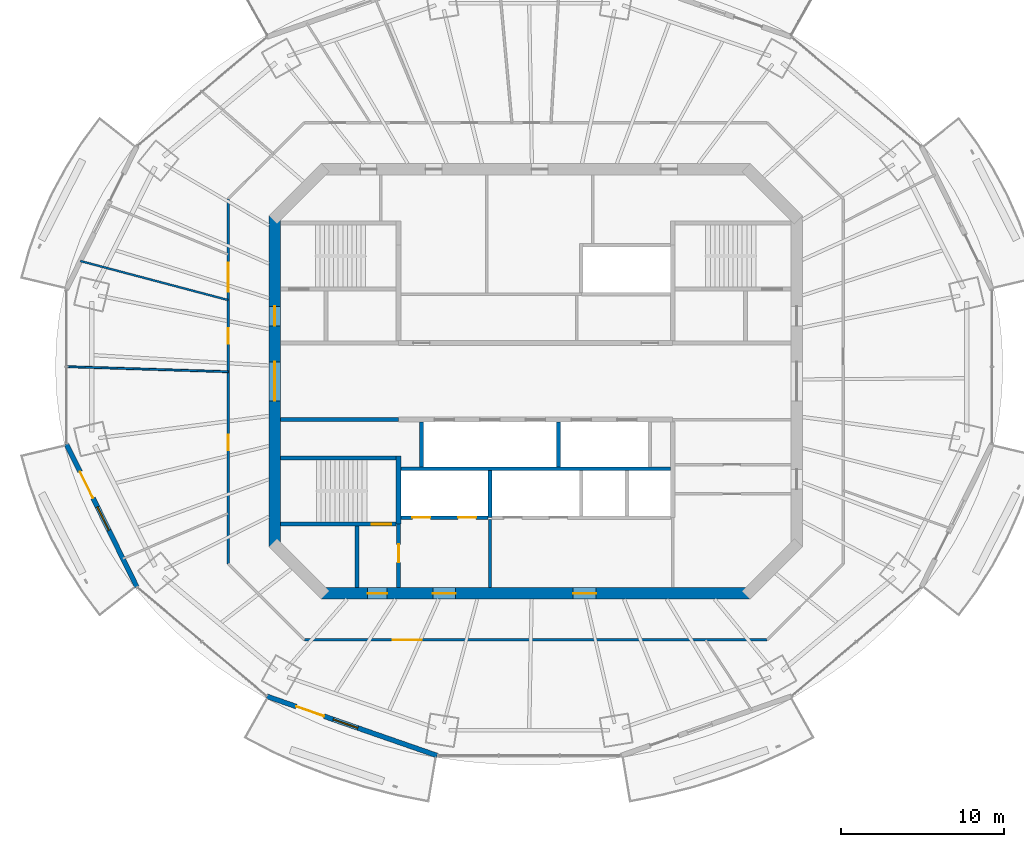
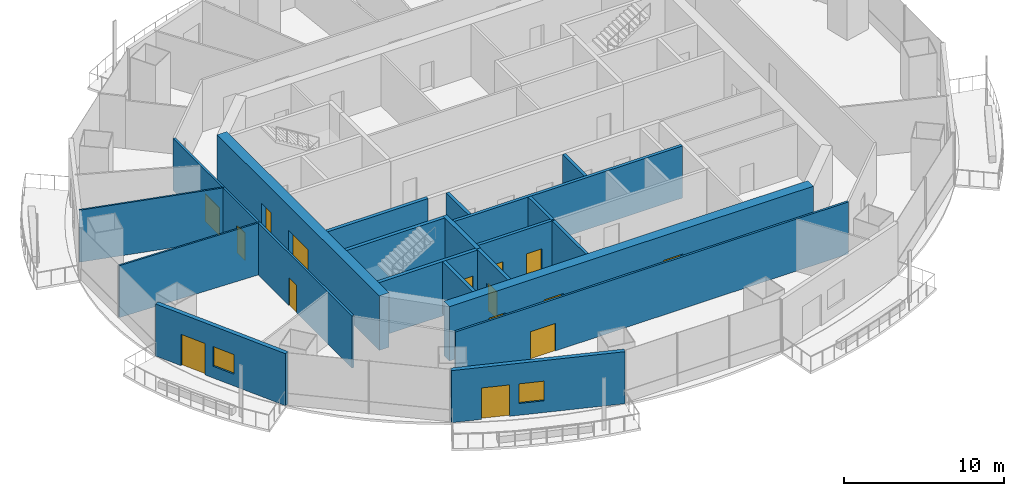
# One storey, part 8 of 16: 20 walls, 15 doors, 2 windows, 17 openings.
"""IFC4 building model written with IfcOpenShell, lengths in metres."""

import ifcopenshell
import ifcopenshell.guid

model = None  # the IFC model being written
_history = None  # IfcOwnerHistory: only IFC2X3 demands one
_inside = {}  # id of a spatial element -> (the spatial element, [elements in it])
_under = {}  # id of a project, library or spatial element -> (it, [spatial elements below it])
_declared = {}  # id of a project -> (the project, [libraries it declares])
_typed = {}  # id of a type object -> (the type object, [elements of that type])
_made_of = {}  # id of a material, layer set ... -> (it, [elements and type objects made of it])


def new_model(schema):
    """Start an empty IFC model of exactly this schema.

    Asked for "IFC4X3", IfcOpenShell would pick the latest addendum, in which some entities
    have other attributes; the version numbers below select the first issue.
    IFC2X3 requires an IfcOwnerHistory on every rooted entity: one is made here for all.
    """
    global model, _history
    if schema == "IFC4X3":
        model = ifcopenshell.file(schema_version=(4, 3, 0, 0))
    else:
        model = ifcopenshell.file(schema=schema)
    _inside.clear()
    _under.clear()
    _declared.clear()
    _typed.clear()
    _made_of.clear()
    _history = None
    if model.schema == "IFC2X3":
        org = make("IfcOrganization", Name="unknown")
        user = make(
            "IfcPersonAndOrganization",
            ThePerson=make("IfcPerson", FamilyName="unknown"),
            TheOrganization=org,
        )
        app = make(
            "IfcApplication",
            ApplicationDeveloper=org,
            Version="unknown",
            ApplicationFullName="unknown",
            ApplicationIdentifier="unknown",
        )
        _history = make(
            "IfcOwnerHistory",
            OwningUser=user,
            OwningApplication=app,
            ChangeAction="ADDED",
            CreationDate=0,
        )
    return model


def make(cls, **values):
    """One entity of the class cls with the attributes given. An attribute that is None is left unset."""
    return model.create_entity(
        cls, **{name: value for name, value in values.items() if value is not None}
    )


def rooted(cls, **values):
    """An entity with a GlobalId (a new one), such as an element, a storey or a relation."""
    return make(cls, GlobalId=ifcopenshell.guid.new(), OwnerHistory=_history, **values)


def si_unit(unit_type, name, prefix=None):
    """IfcSIUnit, for example si_unit("LENGTHUNIT", "METRE", prefix="MILLI")."""
    return make("IfcSIUnit", UnitType=unit_type, Prefix=prefix, Name=name)


def assignment(units):
    """IfcUnitAssignment: the units of a project."""
    return None if units is None else make("IfcUnitAssignment", Units=units)


def point(xyz):
    """IfcCartesianPoint."""
    return None if xyz is None else make("IfcCartesianPoint", Coordinates=xyz)


def direction(xyz):
    """IfcDirection."""
    return None if xyz is None else make("IfcDirection", DirectionRatios=xyz)


def frame(location, z_axis=None, x_axis=None):
    """IfcAxis2Placement3D, a coordinate frame: its origin and axes. An axis left out is left unset."""
    return make(
        "IfcAxis2Placement3D",
        Location=point(location),
        Axis=direction(z_axis),
        RefDirection=direction(x_axis),
    )


def frame_2d(location, x_axis=None):
    """IfcAxis2Placement2D, a coordinate frame in the plane: its origin and x axis."""
    return make(
        "IfcAxis2Placement2D", Location=point(location), RefDirection=direction(x_axis)
    )


def origin():
    """The frame at (0, 0, 0) with its axes left unset."""
    return frame((0.0, 0.0, 0.0))


def place(relative_to, where):
    """IfcLocalPlacement: puts the frame where relative to a parent placement (None: the world)."""
    return make(
        "IfcLocalPlacement", PlacementRelTo=relative_to, RelativePlacement=where
    )


def context(
    kind, dimensions, precision=None, world=None, true_north=None, identifier=None
):
    """IfcGeometricRepresentationContext, for example the 3D "Model" context."""
    return make(
        "IfcGeometricRepresentationContext",
        ContextIdentifier=identifier,
        ContextType=kind,
        CoordinateSpaceDimension=dimensions,
        Precision=precision,
        WorldCoordinateSystem=world,
        TrueNorth=true_north,
    )


def subcontext(parent, identifier, kind, view, scale=None):
    """IfcGeometricRepresentationSubContext, for example "Body" below "Model"."""
    return make(
        "IfcGeometricRepresentationSubContext",
        ContextIdentifier=identifier,
        ContextType=kind,
        ParentContext=parent,
        TargetScale=scale,
        TargetView=view,
    )


def project(units=None, contexts=None):
    """IfcProject with its units and contexts."""
    return rooted(
        "IfcProject",
        Name="project",
        RepresentationContexts=contexts,
        UnitsInContext=assignment(units),
    )


def spatial(cls, under=None, at=None, **own):
    """A site, building, storey or space (cls), placed at a placement, below another one or the project."""
    s = rooted(cls, ObjectPlacement=at, **own)
    if under is not None:
        _under.setdefault(under.id(), (under, []))[1].append(s)
    return s


def profile(cls, at=None, kind="AREA", **sizes):
    """A parametric profile (cls). Its sizes go by their IFC names, for example OverallWidth=200.0."""
    return make(cls, ProfileType=kind, Position=at, **sizes)


def rectangle(**sizes):
    """IfcRectangleProfileDef."""
    return profile("IfcRectangleProfileDef", **sizes)


def extrude(swept, where, along, depth):
    """IfcExtrudedAreaSolid: the profile swept, set in the frame where, extruded along a direction by depth."""
    return make(
        "IfcExtrudedAreaSolid",
        SweptArea=swept,
        Position=where,
        ExtrudedDirection=direction(along),
        Depth=depth,
    )


def shape(context_of_items, identifier, shape_type, items):
    """IfcShapeRepresentation: the items that make up one representation, for example the "Body"."""
    return make(
        "IfcShapeRepresentation",
        ContextOfItems=context_of_items,
        RepresentationIdentifier=identifier,
        RepresentationType=shape_type,
        Items=items,
    )


def material(Name=None, Category=None):
    """IfcMaterial."""
    return make("IfcMaterial", Name=Name, Category=Category)


def layer(
    of_material, thickness, ventilated=None, Name=None, Category=None, Priority=None
):
    """IfcMaterialLayer: one layer of a wall or slab, of a material (None: an air gap)."""
    return make(
        "IfcMaterialLayer",
        Material=of_material,
        LayerThickness=thickness,
        IsVentilated=ventilated,
        Name=Name,
        Category=Category,
        Priority=Priority,
    )


def layer_set(layers, Name=None):
    """IfcMaterialLayerSet."""
    return make("IfcMaterialLayerSet", MaterialLayers=layers, LayerSetName=Name)


def made_of(thing, what):
    """Note that an element or type object is made of a material, layer set ...; save() writes the relation."""
    if what is not None:
        _made_of.setdefault(what.id(), (what, []))[1].append(thing)
    return thing


def type_object(cls, material=None, **own):
    """A type object (cls), such as IfcWallType, which elements share."""
    return made_of(rooted(cls, **own), material)


def element(
    cls,
    number,
    at=None,
    inside=None,
    cuts=None,
    type_object=None,
    material=None,
    context=None,
    identifier="Body",
    shape_type=None,
    held_by="IfcProductDefinitionShape",
    body=None,
    shapes=None,
    **own,
):
    """One element of the class cls, such as IfcWall. Its Tag is "e" and its number.

    at: its placement. inside: the storey or other place that contains it. cuts: it is an
    opening in that element (IfcRelVoidsElement). A single representation is given by context,
    identifier, shape_type and body (its items); several are given by shapes. held_by: the class
    of the entity that holds the representations. save() writes the other relations.
    """
    e = rooted(cls, Tag="e%d" % number, ObjectPlacement=at, **own)
    if body is not None:
        shapes = [shape(context, identifier, shape_type, body)]
    if shapes is not None:
        e.Representation = make(held_by, Representations=shapes)
    if inside is not None:
        _inside.setdefault(inside.id(), (inside, []))[1].append(e)
    if cuts is not None:
        rooted(
            "IfcRelVoidsElement", RelatingBuildingElement=cuts, RelatedOpeningElement=e
        )
    if type_object is not None:
        _typed.setdefault(type_object.id(), (type_object, []))[1].append(e)
    return made_of(e, material)


def fill(opening, filler):
    """IfcRelFillsElement: the door or window that sits in an opening."""
    return rooted(
        "IfcRelFillsElement",
        RelatingOpeningElement=opening,
        RelatedBuildingElement=filler,
    )


def aggregate(whole, parts):
    """IfcRelAggregates: a whole, such as a stair, and the parts it consists of."""
    return rooted("IfcRelAggregates", RelatingObject=whole, RelatedObjects=parts)


def save(model, path):
    """Write the relations noted so far, then the file.

    IfcRelAggregates (storeys below a building ...), IfcRelContainedInSpatialStructure (elements
    in a storey), IfcRelDefinesByType, IfcRelAssociatesMaterial and IfcRelDeclares: one each for
    every whole, place, type object, material and project.
    """
    for whole, parts in _under.values():
        aggregate(whole, parts)
    for where, things in _inside.values():
        rooted(
            "IfcRelContainedInSpatialStructure",
            RelatedElements=things,
            RelatingStructure=where,
        )
    for kind, things in _typed.values():
        rooted("IfcRelDefinesByType", RelatedObjects=things, RelatingType=kind)
    for what, things in _made_of.values():
        rooted("IfcRelAssociatesMaterial", RelatedObjects=things, RelatingMaterial=what)
    for by, libraries in _declared.values():
        rooted("IfcRelDeclares", RelatingContext=by, RelatedDefinitions=libraries)
    model.write(path)


model = new_model("IFC4")

# Units and contexts
model_context = context("Model", 3, precision=1e-05, world=origin(), true_north=direction((0.0, 1.0)))
body_context = subcontext(model_context, "Body", "Model", "MODEL_VIEW")
ifc_project = project(units=[si_unit("LENGTHUNIT", "METRE"), si_unit("AREAUNIT", "SQUARE_METRE"), si_unit("VOLUMEUNIT", "CUBIC_METRE"), si_unit("PLANEANGLEUNIT", "RADIAN"), si_unit("MASSUNIT", "GRAM", prefix="KILO")], contexts=[model_context])

# Site, building, storey
site_placement = place(None, origin())
site = spatial("IfcSite", under=ifc_project, at=site_placement, CompositionType="ELEMENT")
building_placement = place(site_placement, origin())
building = spatial("IfcBuilding", under=site, at=building_placement, Name="Marenthal Gate Tower", CompositionType="ELEMENT")
storey_placement = place(building_placement, frame((0.0, 0.0, 288.64990234375)))
storey = spatial("IfcBuildingStorey", under=building, at=storey_placement, Name="L64", CompositionType="ELEMENT", Elevation=288.64990234375)

# Wall, openings, doors
ifc_material_1 = material(Name="Concrete 60 MPa", Category="concrete")
ifc_layer_1 = layer(ifc_material_1, 0.699951171875)
ifc_layer_set_1 = layer_set([ifc_layer_1], Name="Core shear wall 700")
wall_type_1 = type_object("IfcWallType", Name="Core shear wall 700", PredefinedType="SHEAR", material=ifc_layer_set_1)
wall_1_placement = place(storey_placement, frame((-16.0, 10.14501953125, -0.179931640625), z_axis=(0.0, 0.0, 1.0), x_axis=(0.0, -1.0, 0.0)))
wall_1 = element("IfcWall", 1, at=wall_1_placement, inside=storey, type_object=wall_type_1, Name="Core wall 06", PredefinedType="SHEAR", context=body_context, shape_type="SweptSolid", body=[
    extrude(rectangle(XDim=20.2900390625, YDim=0.699951171875, at=frame_2d((10.14501953125, 0.0))), origin(), (0.0, 0.0, 1.0), 4.150146484375),
])
opening_1_placement = place(wall_1_placement, frame((8.945068359375, 0.0, 0.179931640625)))
opening_1 = element("IfcOpeningElement", 2, at=opening_1_placement, cuts=wall_1, Name="Opening D003.01", PredefinedType="OPENING", context=body_context, shape_type="SweptSolid", body=[
    extrude(rectangle(XDim=2.39990234375, YDim=2.10009765625, at=frame_2d((1.199951171875, 1.050048828125))), frame((0.0, 0.35986328125, 0.0), z_axis=(0.0, -1.0, 0.0), x_axis=(1.0, 0.0, 0.0)), (0.0, 0.0, 1.0), 0.719970703125),
])
opening_2_placement = place(wall_1_placement, frame((5.544921875, 0.0, 0.179931640625)))
opening_2 = element("IfcOpeningElement", 3, at=opening_2_placement, cuts=wall_1, Name="Opening D001.04", PredefinedType="OPENING", context=body_context, shape_type="SweptSolid", body=[
    extrude(rectangle(XDim=1.199951171875, YDim=2.10009765625, at=frame_2d((0.60009765625, 1.050048828125))), frame((0.0, 0.35986328125, 0.0), z_axis=(0.0, -1.0, 0.0), x_axis=(1.0, 0.0, 0.0)), (0.0, 0.0, 1.0), 0.719970703125),
])
ifc_material_2 = material(Name="Steel fire door", Category="steel")
door_type_1 = type_object("IfcDoorType", Name="Double fire door FD 45 2400 x 2100", OperationType="DOUBLE_DOOR_SINGLE_SWING", PredefinedType="DOOR", material=ifc_material_2)
door_1_placement = place(opening_1_placement, origin())
door_1 = element("IfcDoor", 4, at=door_1_placement, inside=storey, type_object=door_type_1, Name="Door D003.01", OperationType="DOUBLE_DOOR_SINGLE_SWING", OverallHeight=2.10009765625, OverallWidth=2.39990234375, PredefinedType="DOOR", context=body_context, shape_type="SweptSolid", body=[
    extrude(rectangle(XDim=2.39990234375, YDim=2.10009765625, at=frame_2d((1.199951171875, 1.050048828125))), frame((0.0, 0.02490234375, 0.0), z_axis=(0.0, -1.0, 0.0), x_axis=(1.0, 0.0, 0.0)), (0.0, 0.0, 1.0), 0.050048828125),
])
fill(opening_1, door_1)
ifc_material_3 = material(Name="Steel fire door", Category="steel")
door_type_2 = type_object("IfcDoorType", Name="Fire door FD 90 1200 x 2100", OperationType="NOTDEFINED", PredefinedType="DOOR", material=ifc_material_3)
door_2_placement = place(opening_2_placement, origin())
door_2 = element("IfcDoor", 5, at=door_2_placement, inside=storey, type_object=door_type_2, Name="Door D001.04", OperationType="SINGLE_SWING_RIGHT", OverallHeight=2.10009765625, OverallWidth=1.199951171875, PredefinedType="DOOR", context=body_context, shape_type="SweptSolid", body=[
    extrude(rectangle(XDim=1.199951171875, YDim=2.10009765625, at=frame_2d((0.60009765625, 1.050048828125))), frame((0.0, 0.02490234375, 0.0), z_axis=(0.0, -1.0, 0.0), x_axis=(1.0, 0.0, 0.0)), (0.0, 0.0, 1.0), 0.050048828125),
])
fill(opening_2, door_2)

wall_2_placement = place(storey_placement, frame((-13.14501953125, -13.0, -0.179931640625), z_axis=(0.0, 0.0, 1.0), x_axis=(1.0, 0.0, 0.0)))
wall_2 = element("IfcWall", 6, at=wall_2_placement, inside=storey, type_object=wall_type_1, Name="Core wall 08", PredefinedType="SHEAR", context=body_context, shape_type="SweptSolid", body=[
    extrude(rectangle(XDim=26.2900390625, YDim=0.699951171875, at=frame_2d((13.14501953125, 0.0))), origin(), (0.0, 0.0, 1.0), 4.150146484375),
])
opening_3_placement = place(wall_2_placement, frame((2.844970703125, 0.0, 0.179931640625)))
opening_3 = element("IfcOpeningElement", 7, at=opening_3_placement, cuts=wall_2, Name="Opening D001.06", PredefinedType="OPENING", context=body_context, shape_type="SweptSolid", body=[
    extrude(rectangle(XDim=1.199951171875, YDim=2.10009765625, at=frame_2d((0.60009765625, 1.050048828125))), frame((0.0, 0.35986328125, 0.0), z_axis=(0.0, -1.0, 0.0), x_axis=(1.0, 0.0, 0.0)), (0.0, 0.0, 1.0), 0.719970703125),
])
opening_4_placement = place(wall_2_placement, frame((6.844970703125, 0.0, 0.179931640625)))
opening_4 = element("IfcOpeningElement", 8, at=opening_4_placement, cuts=wall_2, Name="Opening D004.01", PredefinedType="OPENING", context=body_context, shape_type="SweptSolid", body=[
    extrude(rectangle(XDim=1.39990234375, YDim=2.10009765625, at=frame_2d((0.699951171875, 1.050048828125))), frame((0.0, 0.35986328125, 0.0), z_axis=(0.0, -1.0, 0.0), x_axis=(1.0, 0.0, 0.0)), (0.0, 0.0, 1.0), 0.719970703125),
])
opening_5_placement = place(wall_2_placement, frame((15.445068359375, 0.0, 0.179931640625)))
opening_5 = element("IfcOpeningElement", 9, at=opening_5_placement, cuts=wall_2, Name="Opening D004.02", PredefinedType="OPENING", context=body_context, shape_type="SweptSolid", body=[
    extrude(rectangle(XDim=1.39990234375, YDim=2.10009765625, at=frame_2d((0.699951171875, 1.050048828125))), frame((0.0, 0.35986328125, 0.0), z_axis=(0.0, -1.0, 0.0), x_axis=(1.0, 0.0, 0.0)), (0.0, 0.0, 1.0), 0.719970703125),
])
ifc_material_4 = material(Name="Steel fire door", Category="steel")
door_type_3 = type_object("IfcDoorType", Name="Fire door FD 45 1400 x 2100", OperationType="NOTDEFINED", PredefinedType="DOOR", material=ifc_material_4)
door_3_placement = place(opening_4_placement, origin())
door_3 = element("IfcDoor", 10, at=door_3_placement, inside=storey, type_object=door_type_3, Name="Door D004.01", OperationType="SINGLE_SWING_RIGHT", OverallHeight=2.10009765625, OverallWidth=1.39990234375, PredefinedType="DOOR", context=body_context, shape_type="SweptSolid", body=[
    extrude(rectangle(XDim=1.39990234375, YDim=2.10009765625, at=frame_2d((0.699951171875, 1.050048828125))), frame((0.0, 0.02490234375, 0.0), z_axis=(0.0, -1.0, 0.0), x_axis=(1.0, 0.0, 0.0)), (0.0, 0.0, 1.0), 0.050048828125),
])
fill(opening_4, door_3)
door_4_placement = place(opening_5_placement, origin())
door_4 = element("IfcDoor", 11, at=door_4_placement, inside=storey, type_object=door_type_3, Name="Door D004.02", OperationType="SINGLE_SWING_RIGHT", OverallHeight=2.10009765625, OverallWidth=1.39990234375, PredefinedType="DOOR", context=body_context, shape_type="SweptSolid", body=[
    extrude(rectangle(XDim=1.39990234375, YDim=2.10009765625, at=frame_2d((0.699951171875, 1.050048828125))), frame((0.0, 0.02490234375, 0.0), z_axis=(0.0, -1.0, 0.0), x_axis=(1.0, 0.0, 0.0)), (0.0, 0.0, 1.0), 0.050048828125),
])
fill(opening_5, door_4)
door_5_placement = place(opening_3_placement, origin())
door_5 = element("IfcDoor", 12, at=door_5_placement, inside=storey, type_object=door_type_2, Name="Door D001.06", OperationType="SINGLE_SWING_RIGHT", OverallHeight=2.10009765625, OverallWidth=1.199951171875, PredefinedType="DOOR", context=body_context, shape_type="SweptSolid", body=[
    extrude(rectangle(XDim=1.199951171875, YDim=2.10009765625, at=frame_2d((0.60009765625, 1.050048828125))), frame((0.0, 0.02490234375, 0.0), z_axis=(0.0, -1.0, 0.0), x_axis=(1.0, 0.0, 0.0)), (0.0, 0.0, 1.0), 0.050048828125),
])
fill(opening_3, door_5)

# Walls
ifc_material_5 = material(Name="Gypsum board on steel studs", Category="steel")
ifc_layer_2 = layer(ifc_material_5, 0.199951171875)
ifc_layer_set_2 = layer_set([ifc_layer_2], Name="Fire lobby wall 200")
wall_type_2 = type_object("IfcWallType", Name="Fire lobby wall 200", PredefinedType="PARTITIONING", material=ifc_layer_set_2)
wall_3_placement = place(storey_placement, frame((-2.800048828125, -12.64990234375, 0.0), z_axis=(0.0, 0.0, 1.0), x_axis=(0.0, 1.0, 0.0)))
element("IfcWall", 13, at=wall_3_placement, inside=storey, type_object=wall_type_2, Name="Fire wall 38", PredefinedType="PARTITIONING", context=body_context, shape_type="SweptSolid", body=[
    extrude(rectangle(XDim=4.18994140625, YDim=0.199951171875, at=frame_2d((2.094970703125, 0.0))), origin(), (0.0, 0.0, 1.0), 3.97021484375),
])
ifc_material_6 = material(Name="Concrete 50 MPa", Category="concrete")
ifc_layer_3 = layer(ifc_material_6, 0.300048828125)
ifc_layer_set_3 = layer_set([ifc_layer_3], Name="Hoistway shear wall 300")
wall_type_3 = type_object("IfcWallType", Name="Hoistway shear wall 300", PredefinedType="SHEAR", material=ifc_layer_set_3)
wall_4_placement = place(storey_placement, frame((-8.39990234375, -8.75, -0.179931640625), z_axis=(0.0, 0.0, 1.0), x_axis=(0.0, 1.0, 0.0)))
element("IfcWall", 14, at=wall_4_placement, inside=storey, type_object=wall_type_3, Name="Hoistway wall 33", PredefinedType="SHEAR", context=body_context, shape_type="SweptSolid", body=[
    extrude(rectangle(XDim=4.175048828125, YDim=0.300048828125, at=frame_2d((2.08740234375, 0.0))), origin(), (0.0, 0.0, 1.0), 4.150146484375),
])

# Wall, openings, doors
ifc_material_7 = material(Name="Concrete 40 MPa", Category="concrete")
ifc_layer_4 = layer(ifc_material_7, 0.219970703125)
ifc_layer_set_4 = layer_set([ifc_layer_4], Name="Hoistway wall 220")
wall_type_4 = type_object("IfcWallType", Name="Hoistway wall 220", PredefinedType="STANDARD", material=ifc_layer_set_4)
wall_5_placement = place(storey_placement, frame((-8.25, -8.35009765625, 0.0), z_axis=(0.0, 0.0, 1.0), x_axis=(1.0, 0.0, 0.0)))
wall_5 = element("IfcWall", 15, at=wall_5_placement, inside=storey, type_object=wall_type_4, Name="Hoistway wall 10", PredefinedType="STANDARD", context=body_context, shape_type="SweptSolid", body=[
    extrude(rectangle(XDim=5.340087890625, YDim=0.219970703125, at=frame_2d((2.669921875, 0.0))), origin(), (0.0, 0.0, 1.0), 3.97021484375),
])
opening_6_placement = place(wall_5_placement, frame((0.699951171875, 0.0, 0.0)))
opening_6 = element("IfcOpeningElement", 16, at=opening_6_placement, cuts=wall_5, Name="Opening LD-LF1", PredefinedType="OPENING", context=body_context, shape_type="SweptSolid", body=[
    extrude(rectangle(XDim=1.10009765625, YDim=2.10009765625, at=frame_2d((0.550048828125, 1.050048828125))), frame((0.0, 0.1201171875, 0.0), z_axis=(0.0, -1.0, 0.0), x_axis=(1.0, 0.0, 0.0)), (0.0, 0.0, 1.0), 0.239990234375),
])
opening_7_placement = place(wall_5_placement, frame((3.5, 0.0, 0.0)))
opening_7 = element("IfcOpeningElement", 17, at=opening_7_placement, cuts=wall_5, Name="Opening LD-LF2", PredefinedType="OPENING", context=body_context, shape_type="SweptSolid", body=[
    extrude(rectangle(XDim=1.10009765625, YDim=2.10009765625, at=frame_2d((0.550048828125, 1.050048828125))), frame((0.0, 0.1201171875, 0.0), z_axis=(0.0, -1.0, 0.0), x_axis=(1.0, 0.0, 0.0)), (0.0, 0.0, 1.0), 0.239990234375),
])
ifc_material_8 = material(Name="Stainless steel sliding door", Category="steel")
door_type_4 = type_object("IfcDoorType", Name="Lift landing door FD 90 1100 x 2100", OperationType="DOUBLE_DOOR_SLIDING", PredefinedType="DOOR", material=ifc_material_8)
door_6_placement = place(opening_6_placement, origin())
door_6 = element("IfcDoor", 18, at=door_6_placement, inside=storey, type_object=door_type_4, Name="Lift landing door LF1", OperationType="DOUBLE_DOOR_SLIDING", OverallHeight=2.10009765625, OverallWidth=1.10009765625, PredefinedType="DOOR", context=body_context, shape_type="SweptSolid", body=[
    extrude(rectangle(XDim=1.10009765625, YDim=2.10009765625, at=frame_2d((0.550048828125, 1.050048828125))), frame((0.0, 0.02490234375, 0.0), z_axis=(0.0, -1.0, 0.0), x_axis=(1.0, 0.0, 0.0)), (0.0, 0.0, 1.0), 0.050048828125),
])
fill(opening_6, door_6)
door_7_placement = place(opening_7_placement, origin())
door_7 = element("IfcDoor", 19, at=door_7_placement, inside=storey, type_object=door_type_4, Name="Lift landing door LF2", OperationType="DOUBLE_DOOR_SLIDING", OverallHeight=2.10009765625, OverallWidth=1.10009765625, PredefinedType="DOOR", context=body_context, shape_type="SweptSolid", body=[
    extrude(rectangle(XDim=1.10009765625, YDim=2.10009765625, at=frame_2d((0.550048828125, 1.050048828125))), frame((0.0, 0.02490234375, 0.0), z_axis=(0.0, -1.0, 0.0), x_axis=(1.0, 0.0, 0.0)), (0.0, 0.0, 1.0), 0.050048828125),
])
fill(opening_7, door_7)

# Walls
wall_6_placement = place(storey_placement, frame((-8.25, -5.35009765625, 0.0), z_axis=(0.0, 0.0, 1.0), x_axis=(1.0, 0.0, 0.0)))
element("IfcWall", 20, at=wall_6_placement, inside=storey, type_object=wall_type_4, Name="Hoistway wall 13", PredefinedType="STANDARD", context=body_context, shape_type="SweptSolid", body=[
    extrude(rectangle(XDim=16.5, YDim=0.219970703125, at=frame_2d((8.25, 0.0))), origin(), (0.0, 0.0, 1.0), 3.97021484375),
])
wall_7_placement = place(storey_placement, frame((-7.0, -5.239990234375, 0.0), z_axis=(0.0, 0.0, 1.0), x_axis=(0.0, 1.0, 0.0)))
element("IfcWall", 21, at=wall_7_placement, inside=storey, type_object=wall_type_4, Name="Hoistway wall 36", PredefinedType="STANDARD", context=body_context, shape_type="SweptSolid", body=[
    extrude(rectangle(XDim=2.739990234375, YDim=0.219970703125, at=frame_2d((1.3701171875, 0.0))), origin(), (0.0, 0.0, 1.0), 3.97021484375),
])
wall_8_placement = place(storey_placement, frame((-2.800048828125, -8.35009765625, 0.0), z_axis=(0.0, 0.0, 1.0), x_axis=(0.0, 1.0, 0.0)))
element("IfcWall", 22, at=wall_8_placement, inside=storey, type_object=wall_type_4, Name="Hoistway wall 39", PredefinedType="STANDARD", context=body_context, shape_type="SweptSolid", body=[
    extrude(rectangle(XDim=2.89013671875, YDim=0.219970703125, at=frame_2d((1.445068359375, 0.0))), origin(), (0.0, 0.0, 1.0), 3.97021484375),
])
wall_9_placement = place(storey_placement, frame((1.39990234375, -5.239990234375, 0.0), z_axis=(0.0, 0.0, 1.0), x_axis=(0.0, 1.0, 0.0)))
element("IfcWall", 23, at=wall_9_placement, inside=storey, type_object=wall_type_4, Name="Hoistway wall 40", PredefinedType="STANDARD", context=body_context, shape_type="SweptSolid", body=[
    extrude(rectangle(XDim=2.739990234375, YDim=0.219970703125, at=frame_2d((1.3701171875, 0.0))), origin(), (0.0, 0.0, 1.0), 3.97021484375),
])
ifc_material_9 = material(Name="Gypsum board on steel studs", Category="steel")
ifc_layer_5 = layer(ifc_material_9, 0.1201171875)
ifc_layer_set_5 = layer_set([ifc_layer_5], Name="Partition 120")
wall_type_5 = type_object("IfcWallType", Name="Partition 120", PredefinedType="PARTITIONING", material=ifc_layer_set_5)
wall_10_placement = place(storey_placement, frame((-18.85009765625, 0.58984375, 0.0), z_axis=(0.0, 0.0, 1.0), x_axis=(-0.999511114892, 0.031265495466, 0.0)))
element("IfcWall", 24, at=wall_10_placement, inside=storey, type_object=wall_type_5, Name="Partition wall 54", PredefinedType="PARTITIONING", context=body_context, shape_type="SweptSolid", body=[
    extrude(rectangle(XDim=9.9169921875, YDim=0.1201171875, at=frame_2d((4.95849609375, 0.0))), origin(), (0.0, 0.0, 1.0), 3.97021484375),
])
wall_11_placement = place(storey_placement, frame((-18.85009765625, 4.981689453125, 0.0), z_axis=(0.0, 0.0, 1.0), x_axis=(-0.96680393986, 0.255519357134, 0.0)))
element("IfcWall", 25, at=wall_11_placement, inside=storey, type_object=wall_type_5, Name="Partition wall 55", PredefinedType="PARTITIONING", context=body_context, shape_type="SweptSolid", body=[
    extrude(rectangle(XDim=9.368408203125, YDim=0.1201171875, at=frame_2d((4.68408203125, 0.0))), origin(), (0.0, 0.0, 1.0), 3.97021484375),
])

# Wall, openings, doors
ifc_material_10 = material(Name="Gypsum board on steel studs", Category="steel")
ifc_layer_6 = layer(ifc_material_10, 0.14990234375)
ifc_layer_set_6 = layer_set([ifc_layer_6], Name="Partition 150")
wall_type_6 = type_object("IfcWallType", Name="Partition 150", PredefinedType="PARTITIONING", material=ifc_layer_set_6)
wall_12_placement = place(storey_placement, frame((-18.85009765625, -11.180419921875, 0.0), z_axis=(0.0, 0.0, 1.0), x_axis=(0.0, 1.0, 0.0)))
wall_12 = element("IfcWall", 26, at=wall_12_placement, inside=storey, type_object=wall_type_6, Name="Partition wall 52", PredefinedType="PARTITIONING", context=body_context, shape_type="SweptSolid", body=[
    extrude(rectangle(XDim=22.36083984375, YDim=0.14990234375, at=frame_2d((11.180419921875, 0.0))), origin(), (0.0, 0.0, 1.0), 3.97021484375),
])
opening_8_placement = place(wall_12_placement, frame((16.659912109375, 0.0, 0.0)))
opening_8 = element("IfcOpeningElement", 27, at=opening_8_placement, cuts=wall_12, Name="Opening D014.01", PredefinedType="OPENING", context=body_context, shape_type="SweptSolid", body=[
    extrude(rectangle(XDim=1.800048828125, YDim=2.10009765625, at=frame_2d((0.89990234375, 1.050048828125))), frame((0.0, 0.0849609375, 0.0), z_axis=(0.0, -1.0, 0.0), x_axis=(1.0, 0.0, 0.0)), (0.0, 0.0, 1.0), 0.169921875),
])
opening_9_placement = place(wall_12_placement, frame((13.491943359375, 0.0, 0.0)))
opening_9 = element("IfcOpeningElement", 28, at=opening_9_placement, cuts=wall_12, Name="Opening D016.07", PredefinedType="OPENING", context=body_context, shape_type="SweptSolid", body=[
    extrude(rectangle(XDim=0.949951171875, YDim=2.10009765625, at=frame_2d((0.47509765625, 1.050048828125))), frame((0.0, 0.0849609375, 0.0), z_axis=(0.0, -1.0, 0.0), x_axis=(1.0, 0.0, 0.0)), (0.0, 0.0, 1.0), 0.169921875),
])
opening_10_placement = place(wall_12_placement, frame((6.951904296875, 0.0, 0.0)))
opening_10 = element("IfcOpeningElement", 29, at=opening_10_placement, cuts=wall_12, Name="Opening D016.08", PredefinedType="OPENING", context=body_context, shape_type="SweptSolid", body=[
    extrude(rectangle(XDim=0.949951171875, YDim=2.10009765625, at=frame_2d((0.47509765625, 1.050048828125))), frame((0.0, 0.0849609375, 0.0), z_axis=(0.0, -1.0, 0.0), x_axis=(1.0, 0.0, 0.0)), (0.0, 0.0, 1.0), 0.169921875),
])
ifc_material_11 = material(Name="Timber door", Category="wood")
door_type_5 = type_object("IfcDoorType", Name="Door 950 x 2100", OperationType="NOTDEFINED", PredefinedType="DOOR", material=ifc_material_11)
door_8_placement = place(opening_9_placement, origin())
door_8 = element("IfcDoor", 30, at=door_8_placement, inside=storey, type_object=door_type_5, Name="Door D016.07", OperationType="SINGLE_SWING_RIGHT", OverallHeight=2.10009765625, OverallWidth=0.949951171875, PredefinedType="DOOR", context=body_context, shape_type="SweptSolid", body=[
    extrude(rectangle(XDim=0.949951171875, YDim=2.10009765625, at=frame_2d((0.47509765625, 1.050048828125))), frame((0.0, 0.02490234375, 0.0), z_axis=(0.0, -1.0, 0.0), x_axis=(1.0, 0.0, 0.0)), (0.0, 0.0, 1.0), 0.050048828125),
])
fill(opening_9, door_8)
door_9_placement = place(opening_10_placement, frame((0.949951171875, 0.0, 0.0), z_axis=(0.0, 0.0, 1.0), x_axis=(-1.0, 0.0, 0.0)))
door_9 = element("IfcDoor", 31, at=door_9_placement, inside=storey, type_object=door_type_5, Name="Door D016.08", OperationType="SINGLE_SWING_LEFT", OverallHeight=2.10009765625, OverallWidth=0.949951171875, PredefinedType="DOOR", context=body_context, shape_type="SweptSolid", body=[
    extrude(rectangle(XDim=0.949951171875, YDim=2.10009765625, at=frame_2d((0.47509765625, 1.050048828125))), frame((0.0, 0.02490234375, 0.0), z_axis=(0.0, -1.0, 0.0), x_axis=(1.0, 0.0, 0.0)), (0.0, 0.0, 1.0), 0.050048828125),
])
fill(opening_10, door_9)
ifc_material_12 = material(Name="Timber door", Category="wood")
door_type_6 = type_object("IfcDoorType", Name="Double door 1800 x 2100", OperationType="DOUBLE_DOOR_SINGLE_SWING", PredefinedType="DOOR", material=ifc_material_12)
door_10_placement = place(opening_8_placement, origin())
door_10 = element("IfcDoor", 32, at=door_10_placement, inside=storey, type_object=door_type_6, Name="Door D014.01", OperationType="DOUBLE_DOOR_SINGLE_SWING", OverallHeight=2.10009765625, OverallWidth=1.800048828125, PredefinedType="DOOR", context=body_context, shape_type="SweptSolid", body=[
    extrude(rectangle(XDim=1.800048828125, YDim=2.10009765625, at=frame_2d((0.89990234375, 1.050048828125))), frame((0.0, 0.02490234375, 0.0), z_axis=(0.0, -1.0, 0.0), x_axis=(1.0, 0.0, 0.0)), (0.0, 0.0, 1.0), 0.050048828125),
])
fill(opening_8, door_10)

# Wall, opening, door
wall_13_placement = place(storey_placement, frame((14.180419921875, -15.85009765625, 0.0), z_axis=(0.0, 0.0, 1.0), x_axis=(-1.0, 0.0, 0.0)))
wall_13 = element("IfcWall", 33, at=wall_13_placement, inside=storey, type_object=wall_type_6, Name="Partition wall 66", PredefinedType="PARTITIONING", context=body_context, shape_type="SweptSolid", body=[
    extrude(rectangle(XDim=28.36083984375, YDim=0.14990234375, at=frame_2d((14.180419921875, 0.0))), origin(), (0.0, 0.0, 1.0), 3.97021484375),
])
opening_11_placement = place(wall_13_placement, frame((21.155029296875, 0.0, 0.0)))
opening_11 = element("IfcOpeningElement", 34, at=opening_11_placement, cuts=wall_13, Name="Opening D014.02", PredefinedType="OPENING", context=body_context, shape_type="SweptSolid", body=[
    extrude(rectangle(XDim=1.800048828125, YDim=2.10009765625, at=frame_2d((0.89990234375, 1.050048828125))), frame((0.0, 0.0849609375, 0.0), z_axis=(0.0, -1.0, 0.0), x_axis=(1.0, 0.0, 0.0)), (0.0, 0.0, 1.0), 0.169921875),
])
door_11_placement = place(opening_11_placement, origin())
door_11 = element("IfcDoor", 35, at=door_11_placement, inside=storey, type_object=door_type_6, Name="Door D014.02", OperationType="DOUBLE_DOOR_SINGLE_SWING", OverallHeight=2.10009765625, OverallWidth=1.800048828125, PredefinedType="DOOR", context=body_context, shape_type="SweptSolid", body=[
    extrude(rectangle(XDim=1.800048828125, YDim=2.10009765625, at=frame_2d((0.89990234375, 1.050048828125))), frame((0.0, 0.02490234375, 0.0), z_axis=(0.0, -1.0, 0.0), x_axis=(1.0, 0.0, 0.0)), (0.0, 0.0, 1.0), 0.050048828125),
])
fill(opening_11, door_11)

# Walls
ifc_material_13 = material(Name="Concrete 40 MPa", Category="concrete")
ifc_layer_7 = layer(ifc_material_13, 0.25)
ifc_layer_set_7 = layer_set([ifc_layer_7], Name="Stair enclosure wall 250")
wall_type_7 = type_object("IfcWallType", Name="Stair enclosure wall 250", PredefinedType="STANDARD", material=ifc_layer_set_7)
wall_14_placement = place(storey_placement, frame((-15.64990234375, -2.35009765625, 0.0), z_axis=(0.0, 0.0, 1.0), x_axis=(1.0, 0.0, 0.0)))
element("IfcWall", 36, at=wall_14_placement, inside=storey, type_object=wall_type_7, Name="Stair wall 16", PredefinedType="STANDARD", context=body_context, shape_type="SweptSolid", body=[
    extrude(rectangle(XDim=7.25, YDim=0.25, at=frame_2d((3.625, 0.0))), origin(), (0.0, 0.0, 1.0), 3.97021484375),
])
wall_15_placement = place(storey_placement, frame((-10.949951171875, -12.64990234375, 0.0), z_axis=(0.0, 0.0, 1.0), x_axis=(0.0, 1.0, 0.0)))
element("IfcWall", 37, at=wall_15_placement, inside=storey, type_object=wall_type_7, Name="Stair wall 30", PredefinedType="STANDARD", context=body_context, shape_type="SweptSolid", body=[
    extrude(rectangle(XDim=3.77490234375, YDim=0.25, at=frame_2d((1.887451171875, 0.0))), origin(), (0.0, 0.0, 1.0), 3.97021484375),
])

# Wall, opening, door
wall_16_placement = place(storey_placement, frame((-8.39990234375, -12.64990234375, 0.0), z_axis=(0.0, 0.0, 1.0), x_axis=(0.0, 1.0, 0.0)))
wall_16 = element("IfcWall", 38, at=wall_16_placement, inside=storey, type_object=wall_type_7, Name="Stair wall 32", PredefinedType="STANDARD", context=body_context, shape_type="SweptSolid", body=[
    extrude(rectangle(XDim=3.89990234375, YDim=0.25, at=frame_2d((1.949951171875, 0.0))), origin(), (0.0, 0.0, 1.0), 3.97021484375),
])
opening_12_placement = place(wall_16_placement, frame((1.550048828125, 0.0, 0.0)))
opening_12 = element("IfcOpeningElement", 39, at=opening_12_placement, cuts=wall_16, Name="Opening D002.01", PredefinedType="OPENING", context=body_context, shape_type="SweptSolid", body=[
    extrude(rectangle(XDim=1.10009765625, YDim=2.10009765625, at=frame_2d((0.550048828125, 1.050048828125))), frame((0.0, 0.135009765625, 0.0), z_axis=(0.0, -1.0, 0.0), x_axis=(1.0, 0.0, 0.0)), (0.0, 0.0, 1.0), 0.27001953125),
])
ifc_material_14 = material(Name="Steel fire door", Category="steel")
door_type_7 = type_object("IfcDoorType", Name="Fire door FD 90 1100 x 2100", OperationType="NOTDEFINED", PredefinedType="DOOR", material=ifc_material_14)
door_12_placement = place(opening_12_placement, origin())
door_12 = element("IfcDoor", 40, at=door_12_placement, inside=storey, type_object=door_type_7, Name="Door D002.01", OperationType="SINGLE_SWING_RIGHT", OverallHeight=2.10009765625, OverallWidth=1.10009765625, PredefinedType="DOOR", context=body_context, shape_type="SweptSolid", body=[
    extrude(rectangle(XDim=1.10009765625, YDim=2.10009765625, at=frame_2d((0.550048828125, 1.050048828125))), frame((0.0, 0.02490234375, 0.0), z_axis=(0.0, -1.0, 0.0), x_axis=(1.0, 0.0, 0.0)), (0.0, 0.0, 1.0), 0.050048828125),
])
fill(opening_12, door_12)

ifc_material_15 = material(Name="Concrete 50 MPa", Category="concrete")
ifc_layer_8 = layer(ifc_material_15, 0.25)
ifc_layer_set_8 = layer_set([ifc_layer_8], Name="Stair shear wall 250")
wall_type_8 = type_object("IfcWallType", Name="Stair shear wall 250", PredefinedType="SHEAR", material=ifc_layer_set_8)
wall_17_placement = place(storey_placement, frame((-15.64990234375, -8.75, -0.179931640625), z_axis=(0.0, 0.0, 1.0), x_axis=(1.0, 0.0, 0.0)))
wall_17 = element("IfcWall", 41, at=wall_17_placement, inside=storey, type_object=wall_type_8, Name="Stair wall 09", PredefinedType="SHEAR", context=body_context, shape_type="SweptSolid", body=[
    extrude(rectangle(XDim=7.099853515625, YDim=0.25, at=frame_2d((3.5498046875, 0.0))), origin(), (0.0, 0.0, 1.0), 4.150146484375),
])
opening_13_placement = place(wall_17_placement, frame((5.60009765625, 0.0, 0.179931640625)))
opening_13 = element("IfcOpeningElement", 42, at=opening_13_placement, cuts=wall_17, Name="Opening D001.03", PredefinedType="OPENING", context=body_context, shape_type="SweptSolid", body=[
    extrude(rectangle(XDim=1.199951171875, YDim=2.10009765625, at=frame_2d((0.60009765625, 1.050048828125))), frame((0.0, 0.135009765625, 0.0), z_axis=(0.0, -1.0, 0.0), x_axis=(1.0, 0.0, 0.0)), (0.0, 0.0, 1.0), 0.27001953125),
])
door_13_placement = place(opening_13_placement, origin())
door_13 = element("IfcDoor", 43, at=door_13_placement, inside=storey, type_object=door_type_2, Name="Door D001.03", OperationType="SINGLE_SWING_RIGHT", OverallHeight=2.10009765625, OverallWidth=1.199951171875, PredefinedType="DOOR", context=body_context, shape_type="SweptSolid", body=[
    extrude(rectangle(XDim=1.199951171875, YDim=2.10009765625, at=frame_2d((0.60009765625, 1.050048828125))), frame((0.0, 0.02490234375, 0.0), z_axis=(0.0, -1.0, 0.0), x_axis=(1.0, 0.0, 0.0)), (0.0, 0.0, 1.0), 0.050048828125),
])
fill(opening_13, door_13)

# Wall
wall_18_placement = place(storey_placement, frame((-15.64990234375, -4.699951171875, -0.179931640625), z_axis=(0.0, 0.0, 1.0), x_axis=(1.0, 0.0, 0.0)))
element("IfcWall", 44, at=wall_18_placement, inside=storey, type_object=wall_type_8, Name="Stair wall 15", PredefinedType="SHEAR", context=body_context, shape_type="SweptSolid", body=[
    extrude(rectangle(XDim=7.099853515625, YDim=0.25, at=frame_2d((3.5498046875, 0.0))), origin(), (0.0, 0.0, 1.0), 4.150146484375),
])

# Wall, openings, door, window
ifc_material_16 = material(Name="Terracotta cladding on insulated concrete-block backing", Category="masonry")
ifc_layer_9 = layer(ifc_material_16, 0.300048828125)
ifc_layer_set_9 = layer_set([ifc_layer_9], Name="Terracotta facade wall 300")
wall_type_9 = type_object("IfcWallType", Name="Terracotta facade wall 300", PredefinedType="SOLIDWALL", material=ifc_layer_set_9)
wall_19_placement = place(storey_placement, frame((-28.76220703125, -3.84130859375, 0.0), z_axis=(0.0, 0.0, 1.0), x_axis=(0.442086999908, -0.896972175997, 0.0)))
wall_19 = element("IfcWall", 45, at=wall_19_placement, inside=storey, type_object=wall_type_9, Name="Terracotta facade wall L64 bay 9", PredefinedType="SOLIDWALL", context=body_context, shape_type="SweptSolid", body=[
    extrude(rectangle(XDim=9.76708984375, YDim=0.300048828125, at=frame_2d((4.883544921875, 0.0))), origin(), (0.0, 0.0, 1.0), 3.97021484375),
])
opening_14_placement = place(wall_19_placement, frame((1.89990234375, 0.0, 0.0)))
opening_14 = element("IfcOpeningElement", 46, at=opening_14_placement, cuts=wall_19, Name="Opening BD-L64-09", PredefinedType="OPENING", context=body_context, shape_type="SweptSolid", body=[
    extrude(rectangle(XDim=1.800048828125, YDim=2.39990234375, at=frame_2d((0.89990234375, 1.199951171875))), frame((0.0, 0.16015625, 0.0), z_axis=(0.0, -1.0, 0.0), x_axis=(1.0, 0.0, 0.0)), (0.0, 0.0, 1.0), 0.320068359375),
])
opening_15_placement = place(wall_19_placement, frame((4.300048828125, 0.0, 0.89990234375)))
opening_15 = element("IfcOpeningElement", 47, at=opening_15_placement, cuts=wall_19, Name="Opening WN3-L64-09", PredefinedType="OPENING", context=body_context, shape_type="SweptSolid", body=[
    extrude(rectangle(XDim=1.60009765625, YDim=1.5, at=frame_2d((0.800048828125, 0.75))), frame((0.0, 0.16015625, 0.0), z_axis=(0.0, -1.0, 0.0), x_axis=(1.0, 0.0, 0.0)), (0.0, 0.0, 1.0), 0.320068359375),
])
ifc_material_17 = material(Name="Aluminium and glass", Category="aluminium")
door_type_8 = type_object("IfcDoorType", Name="Balcony door 1800x2400", OperationType="DOUBLE_DOOR_SINGLE_SWING", PredefinedType="DOOR", material=ifc_material_17)
door_14_placement = place(opening_14_placement, origin())
door_14 = element("IfcDoor", 48, at=door_14_placement, inside=storey, type_object=door_type_8, Name="Balcony door L64 bay 9", OperationType="SINGLE_SWING_LEFT", OverallHeight=2.39990234375, OverallWidth=1.800048828125, PredefinedType="DOOR", context=body_context, shape_type="SweptSolid", body=[
    extrude(rectangle(XDim=1.800048828125, YDim=2.39990234375, at=frame_2d((0.89990234375, 1.199951171875))), frame((0.0, 0.02490234375, 0.0), z_axis=(0.0, -1.0, 0.0), x_axis=(1.0, 0.0, 0.0)), (0.0, 0.0, 1.0), 0.050048828125),
])
fill(opening_14, door_14)
ifc_material_18 = material(Name="Aluminium and glass", Category="aluminium")
window_type = type_object("IfcWindowType", Name="Window 1600x1500", PartitioningType="DOUBLE_PANEL_VERTICAL", PredefinedType="WINDOW", material=ifc_material_18)
window_1_placement = place(opening_15_placement, origin())
window_1 = element("IfcWindow", 49, at=window_1_placement, inside=storey, type_object=window_type, Name="Window L64 bay 9", OverallHeight=1.5, OverallWidth=1.60009765625, PartitioningType="SINGLE_PANEL", PredefinedType="WINDOW", context=body_context, shape_type="SweptSolid", body=[
    extrude(rectangle(XDim=1.60009765625, YDim=1.5, at=frame_2d((0.800048828125, 0.75))), frame((0.0, 0.030029296875, 0.0), z_axis=(0.0, -1.0, 0.0), x_axis=(1.0, 0.0, 0.0)), (0.0, 0.0, 1.0), 0.06005859375),
])
fill(opening_15, window_1)

wall_20_placement = place(storey_placement, frame((-16.466064453125, -19.30712890625, 0.0), z_axis=(0.0, 0.0, 1.0), x_axis=(0.94441082719, -0.328767683155, 0.0)))
wall_20 = element("IfcWall", 50, at=wall_20_placement, inside=storey, type_object=wall_type_9, Name="Terracotta facade wall L64 bay 11", PredefinedType="SOLIDWALL", context=body_context, shape_type="SweptSolid", body=[
    extrude(rectangle(XDim=11.037841796875, YDim=0.300048828125, at=frame_2d((5.51904296875, 0.0))), origin(), (0.0, 0.0, 1.0), 3.97021484375),
])
opening_16_placement = place(wall_20_placement, frame((1.89990234375, 0.0, 0.0)))
opening_16 = element("IfcOpeningElement", 51, at=opening_16_placement, cuts=wall_20, Name="Opening BD-L64-11", PredefinedType="OPENING", context=body_context, shape_type="SweptSolid", body=[
    extrude(rectangle(XDim=1.800048828125, YDim=2.39990234375, at=frame_2d((0.89990234375, 1.199951171875))), frame((0.0, 0.16015625, 0.0), z_axis=(0.0, -1.0, 0.0), x_axis=(1.0, 0.0, 0.0)), (0.0, 0.0, 1.0), 0.320068359375),
])
opening_17_placement = place(wall_20_placement, frame((4.300048828125, 0.0, 0.89990234375)))
opening_17 = element("IfcOpeningElement", 52, at=opening_17_placement, cuts=wall_20, Name="Opening WN3-L64-11", PredefinedType="OPENING", context=body_context, shape_type="SweptSolid", body=[
    extrude(rectangle(XDim=1.60009765625, YDim=1.5, at=frame_2d((0.800048828125, 0.75))), frame((0.0, 0.16015625, 0.0), z_axis=(0.0, -1.0, 0.0), x_axis=(1.0, 0.0, 0.0)), (0.0, 0.0, 1.0), 0.320068359375),
])
door_15_placement = place(opening_16_placement, origin())
door_15 = element("IfcDoor", 53, at=door_15_placement, inside=storey, type_object=door_type_8, Name="Balcony door L64 bay 11", OperationType="SINGLE_SWING_LEFT", OverallHeight=2.39990234375, OverallWidth=1.800048828125, PredefinedType="DOOR", context=body_context, shape_type="SweptSolid", body=[
    extrude(rectangle(XDim=1.800048828125, YDim=2.39990234375, at=frame_2d((0.89990234375, 1.199951171875))), frame((0.0, 0.02490234375, 0.0), z_axis=(0.0, -1.0, 0.0), x_axis=(1.0, 0.0, 0.0)), (0.0, 0.0, 1.0), 0.050048828125),
])
fill(opening_16, door_15)
window_2_placement = place(opening_17_placement, origin())
window_2 = element("IfcWindow", 54, at=window_2_placement, inside=storey, type_object=window_type, Name="Window L64 bay 11", OverallHeight=1.5, OverallWidth=1.60009765625, PartitioningType="SINGLE_PANEL", PredefinedType="WINDOW", context=body_context, shape_type="SweptSolid", body=[
    extrude(rectangle(XDim=1.60009765625, YDim=1.5, at=frame_2d((0.800048828125, 0.75))), frame((0.0, 0.030029296875, 0.0), z_axis=(0.0, -1.0, 0.0), x_axis=(1.0, 0.0, 0.0)), (0.0, 0.0, 1.0), 0.06005859375),
])
fill(opening_17, window_2)

save(model, "model.ifc")
